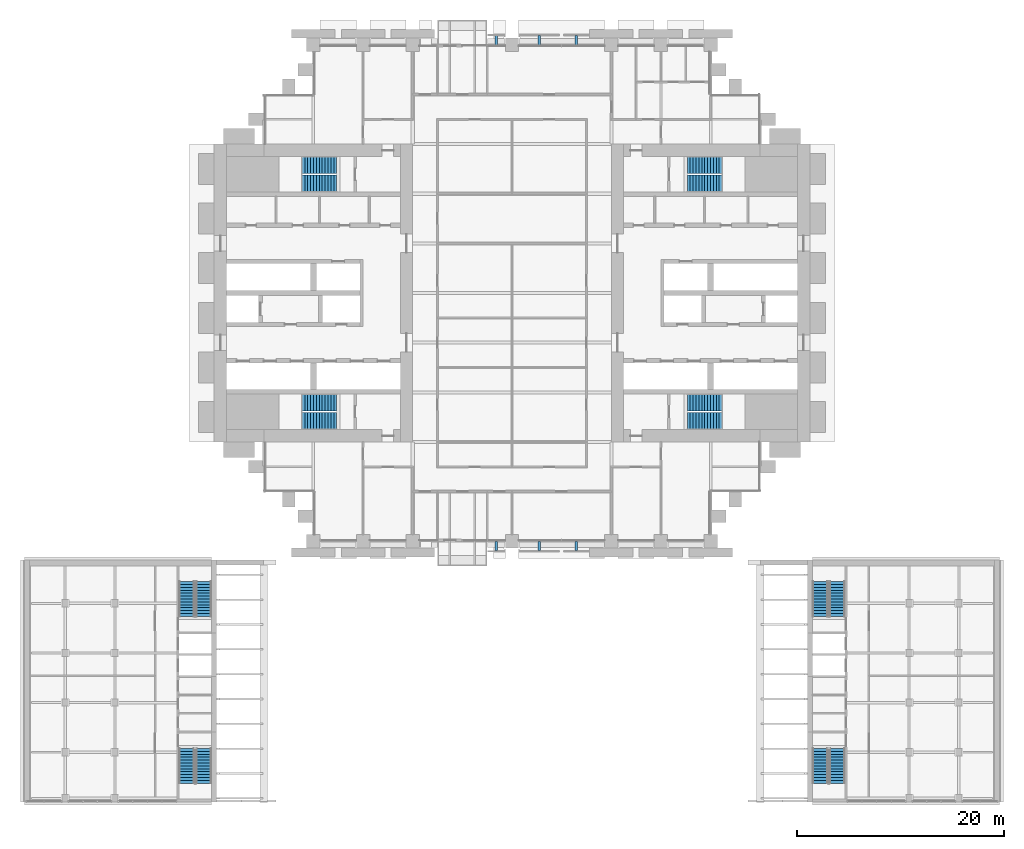
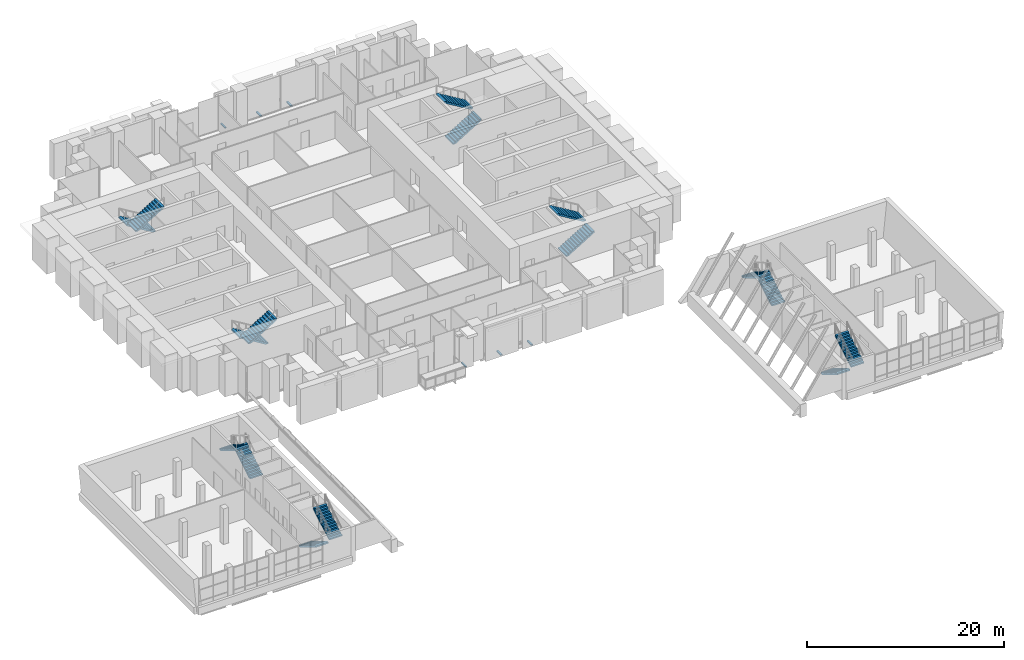
# One storey, part 28 of 32: 16 stair flights, 6 discrete accessories, 8 elements without a shape of their own.
"""IFC4 building model written with IfcOpenShell, lengths in metres."""

from ifc_helpers import new_model, si_unit, direction, frame, origin, origin_2d, place, context, subcontext, project, spatial, polyline, rectangle, outline, extrude, material, type_object, element, aggregate, save


model = new_model("IFC4")

# Units and contexts
model_context = context("Model", 3, precision=1e-05, world=origin(), true_north=direction((0.0, 1.0)))
body_context = subcontext(model_context, "Body", "Model", "MODEL_VIEW")
ifc_project = project(units=[si_unit("LENGTHUNIT", "METRE"), si_unit("AREAUNIT", "SQUARE_METRE"), si_unit("VOLUMEUNIT", "CUBIC_METRE"), si_unit("PLANEANGLEUNIT", "RADIAN"), si_unit("MASSUNIT", "GRAM", prefix="KILO")], contexts=[model_context])

# Site, building, storey
site_placement = place(None, origin())
site = spatial("IfcSite", under=ifc_project, at=site_placement, CompositionType="ELEMENT")
building_placement = place(site_placement, origin())
building = spatial("IfcBuilding", under=site, at=building_placement, Name="Baori Bourse Tower", CompositionType="ELEMENT")
storey_placement = place(building_placement, frame((0.0, 0.0, 21.39990234375)))
storey = spatial("IfcBuildingStorey", under=building, at=storey_placement, Name="L03", CompositionType="ELEMENT", Elevation=21.39990234375)

# Stair, stair flights
ifc_material_1 = material(Name="Concrete f'c 50 MPa", Category="concrete")
stair_type_1 = type_object("IfcStairType", Name="Core stair", PredefinedType="HALF_TURN_STAIR", material=ifc_material_1)
stair_1_placement = place(storey_placement, origin())
stair_1 = element("IfcStair", 1, at=stair_1_placement, inside=storey, type_object=stair_type_1, Name="L03 Stair WA", PredefinedType="HALF_TURN_STAIR")
ifc_material_2 = material(Name="Concrete f'c 50 MPa", Category="concrete")
stair_flight_type_1 = type_object("IfcStairFlightType", Name="Core stair flight", PredefinedType="STRAIGHT", material=ifc_material_2)
stair_flight_1_placement = place(storey_placement, frame((11.85009765625, 13.425048828125, 0.0), z_axis=(0.0, 0.0, 1.0), x_axis=(-1.0, 0.0, 0.0)))
stair_flight_1 = element("IfcStairFlight", 2, at=stair_flight_1_placement, type_object=stair_flight_type_1, Name="ST1 flight 1", NumberOfRisers=13, NumberOfTreads=12, PredefinedType="STRAIGHT", RiserHeight=0.169230769, TreadLength=0.28, context=body_context, shape_type="SweptSolid", body=[
    extrude(outline(polyline([(0.0, 0.0), (0.0, 0.169189453125), (0.280029296875, 0.169189453125), (0.280029296875, 0.33837890625), (0.56005859375, 0.33837890625), (0.56005859375, 0.5078125), (0.840087890625, 0.5078125), (0.840087890625, 0.677001953125), (1.1201171875, 0.677001953125), (1.1201171875, 0.84619140625), (1.39990234375, 0.84619140625), (1.39990234375, 1.015380859375), (1.679931640625, 1.015380859375), (1.679931640625, 1.1845703125), (1.9599609375, 1.1845703125), (1.9599609375, 1.353759765625), (2.239990234375, 1.353759765625), (2.239990234375, 1.523193359375), (2.52001953125, 1.523193359375), (2.52001953125, 1.6923828125), (2.800048828125, 1.6923828125), (2.800048828125, 1.861572265625), (3.080078125, 1.861572265625), (3.080078125, 2.03076171875), (3.360107421875, 2.03076171875), (3.360107421875, 2.199951171875), (3.360107421875, 1.855712890625), (0.289794921875, 0.0), (0.0, 0.0)])), frame((0.0, 0.824951171875, 0.0), z_axis=(0.0, -1.0, 0.0), x_axis=(1.0, 0.0, 0.0)), (0.0, 0.0, 1.0), 1.64990234375),
])
stair_flight_2_placement = place(storey_placement, frame((8.489990234375, 11.625, 2.2001953125), z_axis=(0.0, 0.0, 1.0), x_axis=(1.0, 0.0, 0.0)))
stair_flight_2 = element("IfcStairFlight", 3, at=stair_flight_2_placement, type_object=stair_flight_type_1, Name="ST1 flight 2", NumberOfRisers=13, NumberOfTreads=12, PredefinedType="STRAIGHT", RiserHeight=0.169230769, TreadLength=0.28, context=body_context, shape_type="SweptSolid", body=[
    extrude(outline(polyline([(0.0, 0.0), (0.0, 0.169189453125), (0.280029296875, 0.169189453125), (0.280029296875, 0.33837890625), (0.56005859375, 0.33837890625), (0.56005859375, 0.5078125), (0.840087890625, 0.5078125), (0.840087890625, 0.677001953125), (1.1201171875, 0.677001953125), (1.1201171875, 0.84619140625), (1.39990234375, 0.84619140625), (1.39990234375, 1.015380859375), (1.679931640625, 1.015380859375), (1.679931640625, 1.1845703125), (1.9599609375, 1.1845703125), (1.9599609375, 1.353759765625), (2.239990234375, 1.353759765625), (2.239990234375, 1.523193359375), (2.52001953125, 1.523193359375), (2.52001953125, 1.6923828125), (2.800048828125, 1.6923828125), (2.800048828125, 1.861572265625), (3.080078125, 1.861572265625), (3.080078125, 2.03076171875), (3.360107421875, 2.03076171875), (3.360107421875, 2.199951171875), (3.360107421875, 1.855712890625), (0.289794921875, 0.0), (0.0, 0.0)])), frame((0.0, 0.824951171875, 0.0), z_axis=(0.0, -1.0, 0.0), x_axis=(1.0, 0.0, 0.0)), (0.0, 0.0, 1.0), 1.64990234375),
])
aggregate(stair_1, [stair_flight_1, stair_flight_2])

stair_2_placement = place(storey_placement, origin())
stair_2 = element("IfcStair", 4, at=stair_2_placement, inside=storey, type_object=stair_type_1, Name="L03 Stair WB", PredefinedType="HALF_TURN_STAIR")
stair_flight_3_placement = place(storey_placement, frame((11.85009765625, 36.375, 0.0), z_axis=(0.0, 0.0, 1.0), x_axis=(-1.0, 0.0, 0.0)))
stair_flight_3 = element("IfcStairFlight", 5, at=stair_flight_3_placement, type_object=stair_flight_type_1, Name="ST2 flight 1", NumberOfRisers=13, NumberOfTreads=12, PredefinedType="STRAIGHT", RiserHeight=0.169230769, TreadLength=0.28, context=body_context, shape_type="SweptSolid", body=[
    extrude(outline(polyline([(0.0, 0.0), (0.0, 0.169189453125), (0.280029296875, 0.169189453125), (0.280029296875, 0.33837890625), (0.56005859375, 0.33837890625), (0.56005859375, 0.5078125), (0.840087890625, 0.5078125), (0.840087890625, 0.677001953125), (1.1201171875, 0.677001953125), (1.1201171875, 0.84619140625), (1.39990234375, 0.84619140625), (1.39990234375, 1.015380859375), (1.679931640625, 1.015380859375), (1.679931640625, 1.1845703125), (1.9599609375, 1.1845703125), (1.9599609375, 1.353759765625), (2.239990234375, 1.353759765625), (2.239990234375, 1.523193359375), (2.52001953125, 1.523193359375), (2.52001953125, 1.6923828125), (2.800048828125, 1.6923828125), (2.800048828125, 1.861572265625), (3.080078125, 1.861572265625), (3.080078125, 2.03076171875), (3.360107421875, 2.03076171875), (3.360107421875, 2.199951171875), (3.360107421875, 1.855712890625), (0.289794921875, 0.0), (0.0, 0.0)])), frame((0.0, 0.824951171875, 0.0), z_axis=(0.0, -1.0, 0.0), x_axis=(1.0, 0.0, 0.0)), (0.0, 0.0, 1.0), 1.64990234375),
])
stair_flight_4_placement = place(storey_placement, frame((8.489990234375, 34.574951171875, 2.2001953125), z_axis=(0.0, 0.0, 1.0), x_axis=(1.0, 0.0, 0.0)))
stair_flight_4 = element("IfcStairFlight", 6, at=stair_flight_4_placement, type_object=stair_flight_type_1, Name="ST2 flight 2", NumberOfRisers=13, NumberOfTreads=12, PredefinedType="STRAIGHT", RiserHeight=0.169230769, TreadLength=0.28, context=body_context, shape_type="SweptSolid", body=[
    extrude(outline(polyline([(0.0, 0.0), (0.0, 0.169189453125), (0.280029296875, 0.169189453125), (0.280029296875, 0.33837890625), (0.56005859375, 0.33837890625), (0.56005859375, 0.5078125), (0.840087890625, 0.5078125), (0.840087890625, 0.677001953125), (1.1201171875, 0.677001953125), (1.1201171875, 0.84619140625), (1.39990234375, 0.84619140625), (1.39990234375, 1.015380859375), (1.679931640625, 1.015380859375), (1.679931640625, 1.1845703125), (1.9599609375, 1.1845703125), (1.9599609375, 1.353759765625), (2.239990234375, 1.353759765625), (2.239990234375, 1.523193359375), (2.52001953125, 1.523193359375), (2.52001953125, 1.6923828125), (2.800048828125, 1.6923828125), (2.800048828125, 1.861572265625), (3.080078125, 1.861572265625), (3.080078125, 2.03076171875), (3.360107421875, 2.03076171875), (3.360107421875, 2.199951171875), (3.360107421875, 1.855712890625), (0.289794921875, 0.0), (0.0, 0.0)])), frame((0.0, 0.824951171875, 0.0), z_axis=(0.0, -1.0, 0.0), x_axis=(1.0, 0.0, 0.0)), (0.0, 0.0, 1.0), 1.64990234375),
])
aggregate(stair_2, [stair_flight_3, stair_flight_4])

stair_3_placement = place(storey_placement, origin())
stair_3 = element("IfcStair", 7, at=stair_3_placement, inside=storey, type_object=stair_type_1, Name="L03 Stair EA", PredefinedType="HALF_TURN_STAIR")
stair_flight_5_placement = place(storey_placement, frame((45.75, 11.625, 0.0), z_axis=(0.0, 0.0, 1.0), x_axis=(1.0, 0.0, 0.0)))
stair_flight_5 = element("IfcStairFlight", 8, at=stair_flight_5_placement, type_object=stair_flight_type_1, Name="ST3 flight 1", NumberOfRisers=13, NumberOfTreads=12, PredefinedType="STRAIGHT", RiserHeight=0.169230769, TreadLength=0.28, context=body_context, shape_type="SweptSolid", body=[
    extrude(outline(polyline([(0.0, 0.0), (0.0, 0.169189453125), (0.280029296875, 0.169189453125), (0.280029296875, 0.33837890625), (0.56005859375, 0.33837890625), (0.56005859375, 0.5078125), (0.840087890625, 0.5078125), (0.840087890625, 0.677001953125), (1.1201171875, 0.677001953125), (1.1201171875, 0.84619140625), (1.39990234375, 0.84619140625), (1.39990234375, 1.015380859375), (1.679931640625, 1.015380859375), (1.679931640625, 1.1845703125), (1.9599609375, 1.1845703125), (1.9599609375, 1.353759765625), (2.239990234375, 1.353759765625), (2.239990234375, 1.523193359375), (2.52001953125, 1.523193359375), (2.52001953125, 1.6923828125), (2.800048828125, 1.6923828125), (2.800048828125, 1.861572265625), (3.080078125, 1.861572265625), (3.080078125, 2.03076171875), (3.360107421875, 2.03076171875), (3.360107421875, 2.199951171875), (3.360107421875, 1.855712890625), (0.289794921875, 0.0), (0.0, 0.0)])), frame((0.0, 0.824951171875, 0.0), z_axis=(0.0, -1.0, 0.0), x_axis=(1.0, 0.0, 0.0)), (0.0, 0.0, 1.0), 1.64990234375),
])
stair_flight_6_placement = place(storey_placement, frame((49.110107421875, 13.425048828125, 2.2001953125), z_axis=(0.0, 0.0, 1.0), x_axis=(-1.0, 0.0, 0.0)))
stair_flight_6 = element("IfcStairFlight", 9, at=stair_flight_6_placement, type_object=stair_flight_type_1, Name="ST3 flight 2", NumberOfRisers=13, NumberOfTreads=12, PredefinedType="STRAIGHT", RiserHeight=0.169230769, TreadLength=0.28, context=body_context, shape_type="SweptSolid", body=[
    extrude(outline(polyline([(0.0, 0.0), (0.0, 0.169189453125), (0.280029296875, 0.169189453125), (0.280029296875, 0.33837890625), (0.56005859375, 0.33837890625), (0.56005859375, 0.5078125), (0.840087890625, 0.5078125), (0.840087890625, 0.677001953125), (1.1201171875, 0.677001953125), (1.1201171875, 0.84619140625), (1.39990234375, 0.84619140625), (1.39990234375, 1.015380859375), (1.679931640625, 1.015380859375), (1.679931640625, 1.1845703125), (1.9599609375, 1.1845703125), (1.9599609375, 1.353759765625), (2.239990234375, 1.353759765625), (2.239990234375, 1.523193359375), (2.52001953125, 1.523193359375), (2.52001953125, 1.6923828125), (2.800048828125, 1.6923828125), (2.800048828125, 1.861572265625), (3.080078125, 1.861572265625), (3.080078125, 2.03076171875), (3.360107421875, 2.03076171875), (3.360107421875, 2.199951171875), (3.360107421875, 1.855712890625), (0.289794921875, 0.0), (0.0, 0.0)])), frame((0.0, 0.824951171875, 0.0), z_axis=(0.0, -1.0, 0.0), x_axis=(1.0, 0.0, 0.0)), (0.0, 0.0, 1.0), 1.64990234375),
])
aggregate(stair_3, [stair_flight_5, stair_flight_6])

stair_4_placement = place(storey_placement, origin())
stair_4 = element("IfcStair", 10, at=stair_4_placement, inside=storey, type_object=stair_type_1, Name="L03 Stair EB", PredefinedType="HALF_TURN_STAIR")
stair_flight_7_placement = place(storey_placement, frame((45.75, 34.574951171875, 0.0), z_axis=(0.0, 0.0, 1.0), x_axis=(1.0, 0.0, 0.0)))
stair_flight_7 = element("IfcStairFlight", 11, at=stair_flight_7_placement, type_object=stair_flight_type_1, Name="ST4 flight 1", NumberOfRisers=13, NumberOfTreads=12, PredefinedType="STRAIGHT", RiserHeight=0.169230769, TreadLength=0.28, context=body_context, shape_type="SweptSolid", body=[
    extrude(outline(polyline([(0.0, 0.0), (0.0, 0.169189453125), (0.280029296875, 0.169189453125), (0.280029296875, 0.33837890625), (0.56005859375, 0.33837890625), (0.56005859375, 0.5078125), (0.840087890625, 0.5078125), (0.840087890625, 0.677001953125), (1.1201171875, 0.677001953125), (1.1201171875, 0.84619140625), (1.39990234375, 0.84619140625), (1.39990234375, 1.015380859375), (1.679931640625, 1.015380859375), (1.679931640625, 1.1845703125), (1.9599609375, 1.1845703125), (1.9599609375, 1.353759765625), (2.239990234375, 1.353759765625), (2.239990234375, 1.523193359375), (2.52001953125, 1.523193359375), (2.52001953125, 1.6923828125), (2.800048828125, 1.6923828125), (2.800048828125, 1.861572265625), (3.080078125, 1.861572265625), (3.080078125, 2.03076171875), (3.360107421875, 2.03076171875), (3.360107421875, 2.199951171875), (3.360107421875, 1.855712890625), (0.289794921875, 0.0), (0.0, 0.0)])), frame((0.0, 0.824951171875, 0.0), z_axis=(0.0, -1.0, 0.0), x_axis=(1.0, 0.0, 0.0)), (0.0, 0.0, 1.0), 1.64990234375),
])
stair_flight_8_placement = place(storey_placement, frame((49.110107421875, 36.375, 2.2001953125), z_axis=(0.0, 0.0, 1.0), x_axis=(-1.0, 0.0, 0.0)))
stair_flight_8 = element("IfcStairFlight", 12, at=stair_flight_8_placement, type_object=stair_flight_type_1, Name="ST4 flight 2", NumberOfRisers=13, NumberOfTreads=12, PredefinedType="STRAIGHT", RiserHeight=0.169230769, TreadLength=0.28, context=body_context, shape_type="SweptSolid", body=[
    extrude(outline(polyline([(0.0, 0.0), (0.0, 0.169189453125), (0.280029296875, 0.169189453125), (0.280029296875, 0.33837890625), (0.56005859375, 0.33837890625), (0.56005859375, 0.5078125), (0.840087890625, 0.5078125), (0.840087890625, 0.677001953125), (1.1201171875, 0.677001953125), (1.1201171875, 0.84619140625), (1.39990234375, 0.84619140625), (1.39990234375, 1.015380859375), (1.679931640625, 1.015380859375), (1.679931640625, 1.1845703125), (1.9599609375, 1.1845703125), (1.9599609375, 1.353759765625), (2.239990234375, 1.353759765625), (2.239990234375, 1.523193359375), (2.52001953125, 1.523193359375), (2.52001953125, 1.6923828125), (2.800048828125, 1.6923828125), (2.800048828125, 1.861572265625), (3.080078125, 1.861572265625), (3.080078125, 2.03076171875), (3.360107421875, 2.03076171875), (3.360107421875, 2.199951171875), (3.360107421875, 1.855712890625), (0.289794921875, 0.0), (0.0, 0.0)])), frame((0.0, 0.824951171875, 0.0), z_axis=(0.0, -1.0, 0.0), x_axis=(1.0, 0.0, 0.0)), (0.0, 0.0, 1.0), 1.64990234375),
])
aggregate(stair_4, [stair_flight_7, stair_flight_8])

ifc_material_3 = material(Name="Concrete f'c 40 MPa", Category="concrete")
stair_type_2 = type_object("IfcStairType", Name="Wing exit stair 1500", PredefinedType="HALF_TURN_STAIR", material=ifc_material_3)
stair_5_placement = place(storey_placement, origin())
stair_5 = element("IfcStair", 13, at=stair_5_placement, inside=storey, type_object=stair_type_2, Name="L03 Exit stair WA", PredefinedType="HALF_TURN_STAIR")
ifc_material_4 = material(Name="Concrete f'c 40 MPa", Category="concrete")
stair_flight_type_2 = type_object("IfcStairFlightType", Name="Wing stair flight 1500", PredefinedType="STRAIGHT", material=ifc_material_4)
stair_flight_9_placement = place(storey_placement, frame((-1.0, -7.260009765625, 0.0), z_axis=(0.0, 0.0, 1.0), x_axis=(0.0, 1.0, 0.0)))
stair_flight_9 = element("IfcStairFlight", 14, at=stair_flight_9_placement, type_object=stair_flight_type_2, Name="W-STA flight 1", NumberOfRisers=13, NumberOfTreads=12, PredefinedType="STRAIGHT", RiserHeight=0.169230769, TreadLength=0.28, context=body_context, shape_type="SweptSolid", body=[
    extrude(outline(polyline([(0.0, 0.0), (0.0, 0.169189453125), (0.280029296875, 0.169189453125), (0.280029296875, 0.33837890625), (0.56005859375, 0.33837890625), (0.56005859375, 0.5078125), (0.840087890625, 0.5078125), (0.840087890625, 0.677001953125), (1.1201171875, 0.677001953125), (1.1201171875, 0.84619140625), (1.39990234375, 0.84619140625), (1.39990234375, 1.015380859375), (1.679931640625, 1.015380859375), (1.679931640625, 1.1845703125), (1.9599609375, 1.1845703125), (1.9599609375, 1.353759765625), (2.239990234375, 1.353759765625), (2.239990234375, 1.523193359375), (2.52001953125, 1.523193359375), (2.52001953125, 1.6923828125), (2.800048828125, 1.6923828125), (2.800048828125, 1.861572265625), (3.080078125, 1.861572265625), (3.080078125, 2.03076171875), (3.360107421875, 2.03076171875), (3.360107421875, 2.199951171875), (3.360107421875, 1.855712890625), (0.289794921875, 0.0), (0.0, 0.0)])), frame((0.0, 0.75, 0.0), z_axis=(0.0, -1.0, 0.0), x_axis=(1.0, 0.0, 0.0)), (0.0, 0.0, 1.0), 1.5),
])
stair_flight_10_placement = place(storey_placement, frame((-2.64990234375, -3.89990234375, 2.2001953125), z_axis=(0.0, 0.0, 1.0), x_axis=(0.0, -1.0, 0.0)))
stair_flight_10 = element("IfcStairFlight", 15, at=stair_flight_10_placement, type_object=stair_flight_type_2, Name="W-STA flight 2", NumberOfRisers=13, NumberOfTreads=12, PredefinedType="STRAIGHT", RiserHeight=0.169230769, TreadLength=0.28, context=body_context, shape_type="SweptSolid", body=[
    extrude(outline(polyline([(0.0, 0.0), (0.0, 0.169189453125), (0.280029296875, 0.169189453125), (0.280029296875, 0.33837890625), (0.56005859375, 0.33837890625), (0.56005859375, 0.5078125), (0.840087890625, 0.5078125), (0.840087890625, 0.677001953125), (1.1201171875, 0.677001953125), (1.1201171875, 0.84619140625), (1.39990234375, 0.84619140625), (1.39990234375, 1.015380859375), (1.679931640625, 1.015380859375), (1.679931640625, 1.1845703125), (1.9599609375, 1.1845703125), (1.9599609375, 1.353759765625), (2.239990234375, 1.353759765625), (2.239990234375, 1.523193359375), (2.52001953125, 1.523193359375), (2.52001953125, 1.6923828125), (2.800048828125, 1.6923828125), (2.800048828125, 1.861572265625), (3.080078125, 1.861572265625), (3.080078125, 2.03076171875), (3.360107421875, 2.03076171875), (3.360107421875, 2.199951171875), (3.360107421875, 1.855712890625), (0.289794921875, 0.0), (0.0, 0.0)])), frame((0.0, 0.75, 0.0), z_axis=(0.0, -1.0, 0.0), x_axis=(1.0, 0.0, 0.0)), (0.0, 0.0, 1.0), 1.5),
])
aggregate(stair_5, [stair_flight_9, stair_flight_10])

stair_6_placement = place(storey_placement, origin())
stair_6 = element("IfcStair", 16, at=stair_6_placement, inside=storey, type_object=stair_type_2, Name="L03 Exit stair WB", PredefinedType="HALF_TURN_STAIR")
stair_flight_11_placement = place(storey_placement, frame((-2.64990234375, -20.0400390625, 0.0), z_axis=(0.0, 0.0, 1.0), x_axis=(0.0, -1.0, 0.0)))
stair_flight_11 = element("IfcStairFlight", 17, at=stair_flight_11_placement, type_object=stair_flight_type_2, Name="W-STB flight 1", NumberOfRisers=13, NumberOfTreads=12, PredefinedType="STRAIGHT", RiserHeight=0.169230769, TreadLength=0.28, context=body_context, shape_type="SweptSolid", body=[
    extrude(outline(polyline([(0.0, 0.0), (0.0, 0.169189453125), (0.280029296875, 0.169189453125), (0.280029296875, 0.33837890625), (0.56005859375, 0.33837890625), (0.56005859375, 0.5078125), (0.840087890625, 0.5078125), (0.840087890625, 0.677001953125), (1.1201171875, 0.677001953125), (1.1201171875, 0.84619140625), (1.39990234375, 0.84619140625), (1.39990234375, 1.015380859375), (1.679931640625, 1.015380859375), (1.679931640625, 1.1845703125), (1.9599609375, 1.1845703125), (1.9599609375, 1.353759765625), (2.239990234375, 1.353759765625), (2.239990234375, 1.523193359375), (2.52001953125, 1.523193359375), (2.52001953125, 1.6923828125), (2.800048828125, 1.6923828125), (2.800048828125, 1.861572265625), (3.080078125, 1.861572265625), (3.080078125, 2.03076171875), (3.360107421875, 2.03076171875), (3.360107421875, 2.199951171875), (3.360107421875, 1.855712890625), (0.289794921875, 0.0), (0.0, 0.0)])), frame((0.0, 0.75, 0.0), z_axis=(0.0, -1.0, 0.0), x_axis=(1.0, 0.0, 0.0)), (0.0, 0.0, 1.0), 1.5),
])
stair_flight_12_placement = place(storey_placement, frame((-1.0, -23.39990234375, 2.2001953125), z_axis=(0.0, 0.0, 1.0), x_axis=(0.0, 1.0, 0.0)))
stair_flight_12 = element("IfcStairFlight", 18, at=stair_flight_12_placement, type_object=stair_flight_type_2, Name="W-STB flight 2", NumberOfRisers=13, NumberOfTreads=12, PredefinedType="STRAIGHT", RiserHeight=0.169230769, TreadLength=0.28, context=body_context, shape_type="SweptSolid", body=[
    extrude(outline(polyline([(0.0, 0.0), (0.0, 0.169189453125), (0.280029296875, 0.169189453125), (0.280029296875, 0.33837890625), (0.56005859375, 0.33837890625), (0.56005859375, 0.5078125), (0.840087890625, 0.5078125), (0.840087890625, 0.677001953125), (1.1201171875, 0.677001953125), (1.1201171875, 0.84619140625), (1.39990234375, 0.84619140625), (1.39990234375, 1.015380859375), (1.679931640625, 1.015380859375), (1.679931640625, 1.1845703125), (1.9599609375, 1.1845703125), (1.9599609375, 1.353759765625), (2.239990234375, 1.353759765625), (2.239990234375, 1.523193359375), (2.52001953125, 1.523193359375), (2.52001953125, 1.6923828125), (2.800048828125, 1.6923828125), (2.800048828125, 1.861572265625), (3.080078125, 1.861572265625), (3.080078125, 2.03076171875), (3.360107421875, 2.03076171875), (3.360107421875, 2.199951171875), (3.360107421875, 1.855712890625), (0.289794921875, 0.0), (0.0, 0.0)])), frame((0.0, 0.75, 0.0), z_axis=(0.0, -1.0, 0.0), x_axis=(1.0, 0.0, 0.0)), (0.0, 0.0, 1.0), 1.5),
])
aggregate(stair_6, [stair_flight_11, stair_flight_12])

stair_7_placement = place(storey_placement, origin())
stair_7 = element("IfcStair", 19, at=stair_7_placement, inside=storey, type_object=stair_type_2, Name="L03 Exit stair EA", PredefinedType="HALF_TURN_STAIR")
stair_flight_13_placement = place(storey_placement, frame((60.25, -7.260009765625, 0.0), z_axis=(0.0, 0.0, 1.0), x_axis=(0.0, 1.0, 0.0)))
stair_flight_13 = element("IfcStairFlight", 20, at=stair_flight_13_placement, type_object=stair_flight_type_2, Name="E-STA flight 1", NumberOfRisers=13, NumberOfTreads=12, PredefinedType="STRAIGHT", RiserHeight=0.169230769, TreadLength=0.28, context=body_context, shape_type="SweptSolid", body=[
    extrude(outline(polyline([(0.0, 0.0), (0.0, 0.169189453125), (0.280029296875, 0.169189453125), (0.280029296875, 0.33837890625), (0.56005859375, 0.33837890625), (0.56005859375, 0.5078125), (0.840087890625, 0.5078125), (0.840087890625, 0.677001953125), (1.1201171875, 0.677001953125), (1.1201171875, 0.84619140625), (1.39990234375, 0.84619140625), (1.39990234375, 1.015380859375), (1.679931640625, 1.015380859375), (1.679931640625, 1.1845703125), (1.9599609375, 1.1845703125), (1.9599609375, 1.353759765625), (2.239990234375, 1.353759765625), (2.239990234375, 1.523193359375), (2.52001953125, 1.523193359375), (2.52001953125, 1.6923828125), (2.800048828125, 1.6923828125), (2.800048828125, 1.861572265625), (3.080078125, 1.861572265625), (3.080078125, 2.03076171875), (3.360107421875, 2.03076171875), (3.360107421875, 2.199951171875), (3.360107421875, 1.855712890625), (0.289794921875, 0.0), (0.0, 0.0)])), frame((0.0, 0.75, 0.0), z_axis=(0.0, -1.0, 0.0), x_axis=(1.0, 0.0, 0.0)), (0.0, 0.0, 1.0), 1.5),
])
stair_flight_14_placement = place(storey_placement, frame((58.60009765625, -3.89990234375, 2.2001953125), z_axis=(0.0, 0.0, 1.0), x_axis=(0.0, -1.0, 0.0)))
stair_flight_14 = element("IfcStairFlight", 21, at=stair_flight_14_placement, type_object=stair_flight_type_2, Name="E-STA flight 2", NumberOfRisers=13, NumberOfTreads=12, PredefinedType="STRAIGHT", RiserHeight=0.169230769, TreadLength=0.28, context=body_context, shape_type="SweptSolid", body=[
    extrude(outline(polyline([(0.0, 0.0), (0.0, 0.169189453125), (0.280029296875, 0.169189453125), (0.280029296875, 0.33837890625), (0.56005859375, 0.33837890625), (0.56005859375, 0.5078125), (0.840087890625, 0.5078125), (0.840087890625, 0.677001953125), (1.1201171875, 0.677001953125), (1.1201171875, 0.84619140625), (1.39990234375, 0.84619140625), (1.39990234375, 1.015380859375), (1.679931640625, 1.015380859375), (1.679931640625, 1.1845703125), (1.9599609375, 1.1845703125), (1.9599609375, 1.353759765625), (2.239990234375, 1.353759765625), (2.239990234375, 1.523193359375), (2.52001953125, 1.523193359375), (2.52001953125, 1.6923828125), (2.800048828125, 1.6923828125), (2.800048828125, 1.861572265625), (3.080078125, 1.861572265625), (3.080078125, 2.03076171875), (3.360107421875, 2.03076171875), (3.360107421875, 2.199951171875), (3.360107421875, 1.855712890625), (0.289794921875, 0.0), (0.0, 0.0)])), frame((0.0, 0.75, 0.0), z_axis=(0.0, -1.0, 0.0), x_axis=(1.0, 0.0, 0.0)), (0.0, 0.0, 1.0), 1.5),
])
aggregate(stair_7, [stair_flight_13, stair_flight_14])

stair_8_placement = place(storey_placement, origin())
stair_8 = element("IfcStair", 22, at=stair_8_placement, inside=storey, type_object=stair_type_2, Name="L03 Exit stair EB", PredefinedType="HALF_TURN_STAIR")
stair_flight_15_placement = place(storey_placement, frame((58.60009765625, -20.0400390625, 0.0), z_axis=(0.0, 0.0, 1.0), x_axis=(0.0, -1.0, 0.0)))
stair_flight_15 = element("IfcStairFlight", 23, at=stair_flight_15_placement, type_object=stair_flight_type_2, Name="E-STB flight 1", NumberOfRisers=13, NumberOfTreads=12, PredefinedType="STRAIGHT", RiserHeight=0.169230769, TreadLength=0.28, context=body_context, shape_type="SweptSolid", body=[
    extrude(outline(polyline([(0.0, 0.0), (0.0, 0.169189453125), (0.280029296875, 0.169189453125), (0.280029296875, 0.33837890625), (0.56005859375, 0.33837890625), (0.56005859375, 0.5078125), (0.840087890625, 0.5078125), (0.840087890625, 0.677001953125), (1.1201171875, 0.677001953125), (1.1201171875, 0.84619140625), (1.39990234375, 0.84619140625), (1.39990234375, 1.015380859375), (1.679931640625, 1.015380859375), (1.679931640625, 1.1845703125), (1.9599609375, 1.1845703125), (1.9599609375, 1.353759765625), (2.239990234375, 1.353759765625), (2.239990234375, 1.523193359375), (2.52001953125, 1.523193359375), (2.52001953125, 1.6923828125), (2.800048828125, 1.6923828125), (2.800048828125, 1.861572265625), (3.080078125, 1.861572265625), (3.080078125, 2.03076171875), (3.360107421875, 2.03076171875), (3.360107421875, 2.199951171875), (3.360107421875, 1.855712890625), (0.289794921875, 0.0), (0.0, 0.0)])), frame((0.0, 0.75, 0.0), z_axis=(0.0, -1.0, 0.0), x_axis=(1.0, 0.0, 0.0)), (0.0, 0.0, 1.0), 1.5),
])
stair_flight_16_placement = place(storey_placement, frame((60.25, -23.39990234375, 2.2001953125), z_axis=(0.0, 0.0, 1.0), x_axis=(0.0, 1.0, 0.0)))
stair_flight_16 = element("IfcStairFlight", 24, at=stair_flight_16_placement, type_object=stair_flight_type_2, Name="E-STB flight 2", NumberOfRisers=13, NumberOfTreads=12, PredefinedType="STRAIGHT", RiserHeight=0.169230769, TreadLength=0.28, context=body_context, shape_type="SweptSolid", body=[
    extrude(outline(polyline([(0.0, 0.0), (0.0, 0.169189453125), (0.280029296875, 0.169189453125), (0.280029296875, 0.33837890625), (0.56005859375, 0.33837890625), (0.56005859375, 0.5078125), (0.840087890625, 0.5078125), (0.840087890625, 0.677001953125), (1.1201171875, 0.677001953125), (1.1201171875, 0.84619140625), (1.39990234375, 0.84619140625), (1.39990234375, 1.015380859375), (1.679931640625, 1.015380859375), (1.679931640625, 1.1845703125), (1.9599609375, 1.1845703125), (1.9599609375, 1.353759765625), (2.239990234375, 1.353759765625), (2.239990234375, 1.523193359375), (2.52001953125, 1.523193359375), (2.52001953125, 1.6923828125), (2.800048828125, 1.6923828125), (2.800048828125, 1.861572265625), (3.080078125, 1.861572265625), (3.080078125, 2.03076171875), (3.360107421875, 2.03076171875), (3.360107421875, 2.199951171875), (3.360107421875, 1.855712890625), (0.289794921875, 0.0), (0.0, 0.0)])), frame((0.0, 0.75, 0.0), z_axis=(0.0, -1.0, 0.0), x_axis=(1.0, 0.0, 0.0)), (0.0, 0.0, 1.0), 1.5),
])
aggregate(stair_8, [stair_flight_15, stair_flight_16])

# Discrete accessories
ifc_material_5 = material(Name="Pale anodised aluminium", Category="aluminium")
discrete_accessory_type = type_object("IfcDiscreteAccessoryType", Name="OS2 Outer skin bracket", PredefinedType="BRACKET", material=ifc_material_5)
for number, where, z_axis, x_axis, name in (
    (25, (35.012451171875, 48.449951171875, -0.143798828125), (0.0, 0.0, 1.0), (-1.0, 0.0, 0.0), "Outer skin bracket L03 1"),
    (26, (31.4375, 48.449951171875, -0.143798828125), (0.0, 0.0, 1.0), (-1.0, 0.0, 0.0), "Outer skin bracket L03 2"),
    (27, (27.27490234375, 48.449951171875, -0.143798828125), (0.0, 0.0, 1.0), (-1.0, 0.0, 0.0), "Outer skin bracket L03 3"),
    (28, (27.27490234375, -0.449951171875, -0.143798828125), (0.0, 0.0, 1.0), (1.0, 0.0, 0.0), "Outer skin bracket L03 4"),
    (29, (31.4375, -0.449951171875, -0.143798828125), (0.0, 0.0, 1.0), (1.0, 0.0, 0.0), "Outer skin bracket L03 5"),
    (30, (35.012451171875, -0.449951171875, -0.143798828125), (0.0, 0.0, 1.0), (1.0, 0.0, 0.0), "Outer skin bracket L03 6"),
):
    element("IfcDiscreteAccessory", number, at=place(storey_placement, frame(where, z_axis=z_axis, x_axis=x_axis)), inside=storey, type_object=discrete_accessory_type, Name=name, PredefinedType="BRACKET", context=body_context, shape_type="SweptSolid", body=[
        extrude(rectangle(XDim=0.199951171875, YDim=0.89990234375, at=origin_2d()), origin(), (0.0, 0.0, 1.0), 0.1279296875),
    ])

save(model, "model.ifc")
